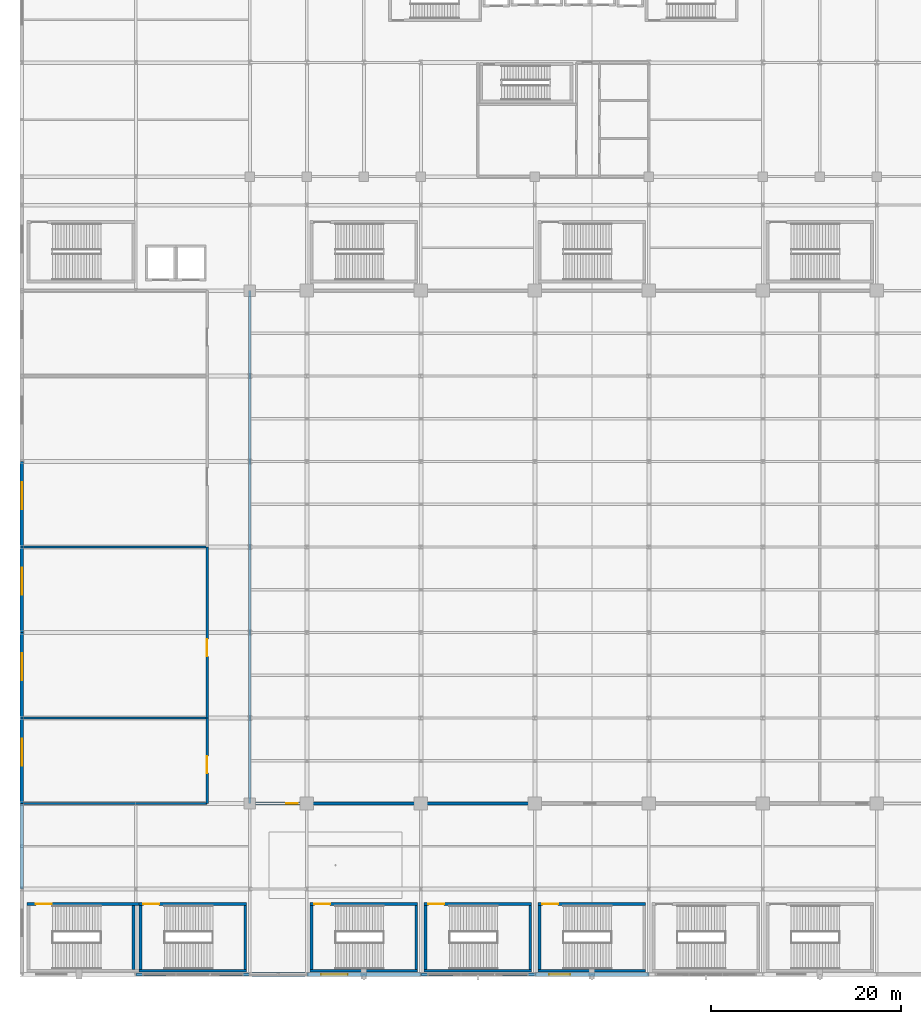
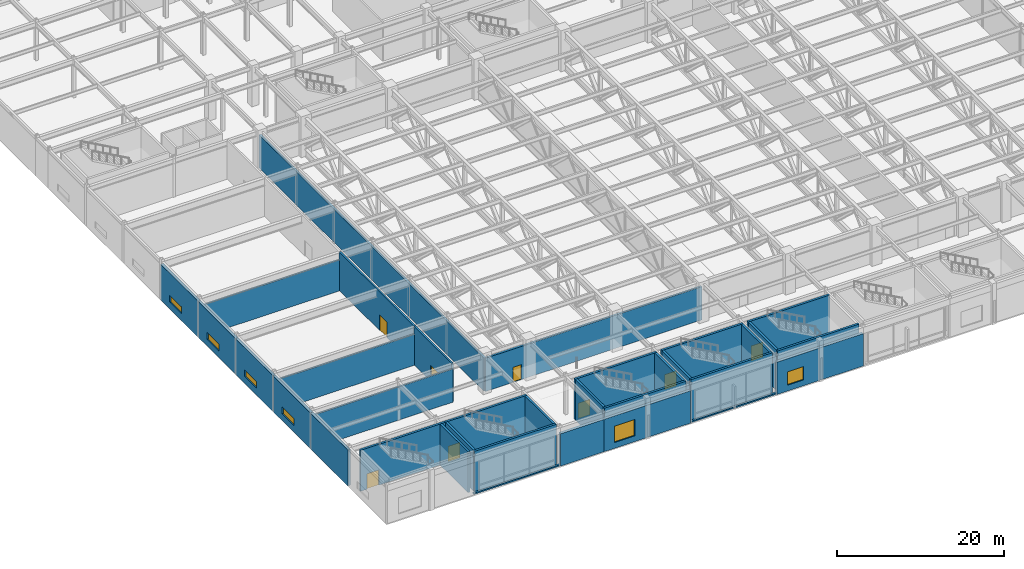
# One storey, part 88 of 108: 34 walls, 8 doors, 6 windows, 14 openings.
"""IFC4 building model written with IfcOpenShell, lengths in metres."""

from ifc_helpers import new_model, si_unit, direction, frame, frame_2d, origin, place, context, subcontext, project, spatial, rectangle, extrude, material, layer, layer_set, type_object, element, fill, save


model = new_model("IFC4")

# Units and contexts
model_context = context("Model", 3, precision=1e-05, world=origin(), true_north=direction((0.0, 1.0)))
body_context = subcontext(model_context, "Body", "Model", "MODEL_VIEW")
ifc_project = project(units=[si_unit("LENGTHUNIT", "METRE"), si_unit("AREAUNIT", "SQUARE_METRE"), si_unit("VOLUMEUNIT", "CUBIC_METRE"), si_unit("PLANEANGLEUNIT", "RADIAN"), si_unit("MASSUNIT", "GRAM", prefix="KILO")], contexts=[model_context])

# Site, building, storey
site_placement = place(None, origin())
site = spatial("IfcSite", under=ifc_project, at=site_placement, CompositionType="ELEMENT")
building_placement = place(site_placement, origin())
building = spatial("IfcBuilding", under=site, at=building_placement, Name="Kaldorvane Square Convention Centre", CompositionType="ELEMENT")
storey_placement = place(building_placement, frame((0.0, 0.0, 12.0)))
storey = spatial("IfcBuildingStorey", under=building, at=storey_placement, Name="L02", CompositionType="ELEMENT", Elevation=12.0)

# Wall
ifc_material_1 = material(Name="Reinforced Concrete Masonry Acoustic Partition", Category="masonry")
ifc_layer_1 = layer(ifc_material_1, 0.2400054931640625)
ifc_layer_set_1 = layer_set([ifc_layer_1], Name="Reinforced Concrete Masonry Acoustic Partition")
wall_type_1 = type_object("IfcWallType", Name="WL-ACO-240", PredefinedType="PARTITIONING", material=ifc_layer_set_1)
wall_1_placement = place(storey_placement, frame((0.19000244140625, 18.0, 0.0), z_axis=(0.0, 0.0, 1.0), x_axis=(1.0, 0.0, 0.0)))
element("IfcWall", 1, at=wall_1_placement, inside=storey, type_object=wall_type_1, Name="Meeting Room 201 S Wall", PredefinedType="PARTITIONING", context=body_context, shape_type="SweptSolid", body=[
    extrude(rectangle(XDim=19.30999755859375, YDim=0.2400054931640625, at=frame_2d((9.654998779296875, 0.0))), origin(), (0.0, 0.0, 1.0), 4.8719940185546875),
])

# Wall, opening, door
wall_2_placement = place(storey_placement, frame((19.5, 18.0, 0.0), z_axis=(0.0, 0.0, 1.0), x_axis=(0.0, 1.0, 0.0)))
wall_2 = element("IfcWall", 2, at=wall_2_placement, inside=storey, type_object=wall_type_1, Name="Meeting Room 201 E Wall", PredefinedType="PARTITIONING", context=body_context, shape_type="SweptSolid", body=[
    extrude(rectangle(XDim=9.0, YDim=0.2400054931640625, at=frame_2d((4.5, 0.0))), origin(), (0.0, 0.0, 1.0), 5.649993896484375),
])
opening_1_placement = place(wall_2_placement, frame((3.1999969482421875, 0.0, 0.0)))
opening_1 = element("IfcOpeningElement", 3, at=opening_1_placement, cuts=wall_2, Name="Opening ID-06", PredefinedType="OPENING", context=body_context, shape_type="SweptSolid", body=[
    extrude(rectangle(XDim=1.8000030517578125, YDim=2.3000030517578125, at=frame_2d((0.899993896484375, 1.149993896484375))), frame((0.0, 0.135009765625, 0.0), z_axis=(0.0, -1.0, 0.0), x_axis=(1.0, 0.0, 0.0)), (0.0, 0.0, 1.0), 0.2700042724609375),
])
ifc_material_2 = material(Name="Architectural Solid-Core White Oak")
door_type_1 = type_object("IfcDoorType", Name="DR-MEET-1800X2300", OperationType="DOUBLE_DOOR_SINGLE_SWING", PredefinedType="DOOR", material=ifc_material_2)
door_1_placement = place(opening_1_placement, origin())
door_1 = element("IfcDoor", 4, at=door_1_placement, inside=storey, type_object=door_type_1, Name="Meeting Room 201 Door 1", OperationType="DOUBLE_DOOR_SINGLE_SWING", OverallHeight=2.3000030517578125, OverallWidth=1.8000030517578125, PredefinedType="DOOR", context=body_context, shape_type="SweptSolid", body=[
    extrude(rectangle(XDim=1.8000030517578125, YDim=2.3000030517578125, at=frame_2d((0.899993896484375, 1.149993896484375))), frame((0.0, 0.024993896484375, 0.0), z_axis=(0.0, -1.0, 0.0), x_axis=(1.0, 0.0, 0.0)), (0.0, 0.0, 1.0), 0.0500030517578125),
])
fill(opening_1, door_1)

# Wall
wall_3_placement = place(storey_placement, frame((19.5, 27.0, 0.0), z_axis=(0.0, 0.0, 1.0), x_axis=(-1.0, 0.0, 0.0)))
element("IfcWall", 5, at=wall_3_placement, inside=storey, type_object=wall_type_1, Name="Meeting Room 201 N Wall", PredefinedType="PARTITIONING", context=body_context, shape_type="SweptSolid", body=[
    extrude(rectangle(XDim=19.30999755859375, YDim=0.2400054931640625, at=frame_2d((9.654998779296875, 0.0))), origin(), (0.0, 0.0, 1.0), 4.5279998779296875),
])

# Wall, opening, door
wall_4_placement = place(storey_placement, frame((19.5, 27.0, 0.0), z_axis=(0.0, 0.0, 1.0), x_axis=(0.0, 1.0, 0.0)))
wall_4 = element("IfcWall", 6, at=wall_4_placement, inside=storey, type_object=wall_type_1, Name="Meeting Room 202 E Wall", PredefinedType="PARTITIONING", context=body_context, shape_type="SweptSolid", body=[
    extrude(rectangle(XDim=18.0, YDim=0.2400054931640625, at=frame_2d((9.0, 0.0))), origin(), (0.0, 0.0, 1.0), 5.649993896484375),
])
opening_2_placement = place(wall_4_placement, frame((6.5, 0.0, 0.0)))
opening_2 = element("IfcOpeningElement", 7, at=opening_2_placement, cuts=wall_4, Name="Opening ID-06", PredefinedType="OPENING", context=body_context, shape_type="SweptSolid", body=[
    extrude(rectangle(XDim=1.8000030517578125, YDim=2.3000030517578125, at=frame_2d((0.899993896484375, 1.149993896484375))), frame((0.0, 0.135009765625, 0.0), z_axis=(0.0, -1.0, 0.0), x_axis=(1.0, 0.0, 0.0)), (0.0, 0.0, 1.0), 0.2700042724609375),
])
door_2_placement = place(opening_2_placement, origin())
door_2 = element("IfcDoor", 8, at=door_2_placement, inside=storey, type_object=door_type_1, Name="Meeting Room 202 Door 1", OperationType="DOUBLE_DOOR_SINGLE_SWING", OverallHeight=2.3000030517578125, OverallWidth=1.8000030517578125, PredefinedType="DOOR", context=body_context, shape_type="SweptSolid", body=[
    extrude(rectangle(XDim=1.8000030517578125, YDim=2.3000030517578125, at=frame_2d((0.899993896484375, 1.149993896484375))), frame((0.0, 0.024993896484375, 0.0), z_axis=(0.0, -1.0, 0.0), x_axis=(1.0, 0.0, 0.0)), (0.0, 0.0, 1.0), 0.0500030517578125),
])
fill(opening_2, door_2)

# Wall
wall_5_placement = place(storey_placement, frame((19.5, 45.0, 0.0), z_axis=(0.0, 0.0, 1.0), x_axis=(-1.0, 0.0, 0.0)))
element("IfcWall", 9, at=wall_5_placement, inside=storey, type_object=wall_type_1, Name="Meeting Room 202 N Wall", PredefinedType="PARTITIONING", context=body_context, shape_type="SweptSolid", body=[
    extrude(rectangle(XDim=19.30999755859375, YDim=0.2400054931640625, at=frame_2d((9.654998779296875, 0.0))), origin(), (0.0, 0.0, 1.0), 4.5279998779296875),
])

# Wall, opening, door
ifc_layer_2 = layer(ifc_material_1, 0.279998779296875)
ifc_layer_set_2 = layer_set([ifc_layer_2], Name="Reinforced Concrete Masonry Acoustic Partition")
wall_type_2 = type_object("IfcWallType", Name="WL-ACO-280", PredefinedType="PARTITIONING", material=ifc_layer_set_2)
wall_6_placement = place(storey_placement, frame((24.0, 18.0, 0.0), z_axis=(0.0, 0.0, 1.0), x_axis=(1.0, 0.0, 0.0)))
wall_6 = element("IfcWall", 10, at=wall_6_placement, inside=storey, type_object=wall_type_2, Name="West Transfer Truss Interstitial Mechanical Plenum S Wall", PredefinedType="PARTITIONING", context=body_context, shape_type="SweptSolid", body=[
    extrude(rectangle(XDim=30.0, YDim=0.279998779296875, at=frame_2d((15.0, 0.0))), origin(), (0.0, 0.0, 1.0), 4.8719940185546875),
])
opening_3_placement = place(wall_6_placement, frame((3.8300018310546875, 0.0, 0.0)))
opening_3 = element("IfcOpeningElement", 11, at=opening_3_placement, cuts=wall_6, Name="Opening ID-14", PredefinedType="OPENING", context=body_context, shape_type="SweptSolid", body=[
    extrude(rectangle(XDim=1.1999969482421875, YDim=2.1999969482421875, at=frame_2d((0.600006103515625, 1.100006103515625))), frame((0.0, 0.154998779296875, 0.0), z_axis=(0.0, -1.0, 0.0), x_axis=(1.0, 0.0, 0.0)), (0.0, 0.0, 1.0), 0.30999755859375),
])
ifc_material_3 = material(Name="Insulated Hollow Metal Steel", Category="steel")
door_type_2 = type_object("IfcDoorType", Name="DR-PLANT-1200X2200", OperationType="SINGLE_SWING_LEFT", PredefinedType="DOOR", material=ifc_material_3)
door_3_placement = place(opening_3_placement, origin())
door_3 = element("IfcDoor", 12, at=door_3_placement, inside=storey, type_object=door_type_2, Name="West Transfer Truss Interstitial Mechanical Plenum Door 1", OperationType="SINGLE_SWING_LEFT", OverallHeight=2.1999969482421875, OverallWidth=1.1999969482421875, PredefinedType="DOOR", context=body_context, shape_type="SweptSolid", body=[
    extrude(rectangle(XDim=1.1999969482421875, YDim=2.1999969482421875, at=frame_2d((0.600006103515625, 1.100006103515625))), frame((0.0, 0.024993896484375, 0.0), z_axis=(0.0, -1.0, 0.0), x_axis=(1.0, 0.0, 0.0)), (0.0, 0.0, 1.0), 0.0500030517578125),
])
fill(opening_3, door_3)

# Walls
wall_7_placement = place(storey_placement, frame((24.0, 72.0, 0.0), z_axis=(0.0, 0.0, 1.0), x_axis=(0.0, -1.0, 0.0)))
element("IfcWall", 13, at=wall_7_placement, inside=storey, type_object=wall_type_2, Name="West Transfer Truss Interstitial Mechanical Plenum W Wall", PredefinedType="PARTITIONING", context=body_context, shape_type="SweptSolid", body=[
    extrude(rectangle(XDim=54.0, YDim=0.279998779296875, at=frame_2d((27.0, 0.0))), origin(), (0.0, 0.0, 1.0), 4.88299560546875),
])
ifc_material_4 = material(Name="Concrete f'c = 42 MPa (Normalweight)", Category="concrete")
ifc_layer_3 = layer(ifc_material_4, 0.3800048828125)
ifc_layer_set_3 = layer_set([ifc_layer_3], Name="Concrete f'c = 42 MPa (Normalweight)")
wall_type_3 = type_object("IfcWallType", Name="WL-EXT-380", PredefinedType="STANDARD", material=ifc_layer_set_3)
wall_8_placement = place(storey_placement, frame((24.0, 0.0, 0.0), z_axis=(0.0, 0.0, 1.0), x_axis=(1.0, 0.0, 0.0)))
element("IfcWall", 14, at=wall_8_placement, inside=storey, type_object=wall_type_3, Name="South Square Brutalist Facade Wall (L02)", PredefinedType="STANDARD", context=body_context, shape_type="SweptSolid", body=[
    extrude(rectangle(XDim=6.0, YDim=0.3800048828125, at=frame_2d((3.0, 0.0))), origin(), (0.0, 0.0, 1.0), 4.746002197265625),
])

# Wall, opening, window
wall_9_placement = place(storey_placement, frame((30.0, 0.0, 0.0), z_axis=(0.0, 0.0, 1.0), x_axis=(1.0, 0.0, 0.0)))
wall_9 = element("IfcWall", 15, at=wall_9_placement, inside=storey, type_object=wall_type_3, Name="South Square Brutalist Facade Wall (L02)", PredefinedType="STANDARD", context=body_context, shape_type="SweptSolid", body=[
    extrude(rectangle(XDim=12.0, YDim=0.3800048828125, at=frame_2d((6.0, 0.0))), origin(), (0.0, 0.0, 1.0), 4.746002197265625),
])
opening_4_placement = place(wall_9_placement, frame((1.5, 0.0, 0.850006103515625)))
opening_4 = element("IfcOpeningElement", 16, at=opening_4_placement, cuts=wall_9, Name="Opening W-17", PredefinedType="OPENING", context=body_context, shape_type="SweptSolid", body=[
    extrude(rectangle(XDim=2.8000030517578125, YDim=2.399993896484375, at=frame_2d((1.399993896484375, 1.1999969482421875))), frame((0.0, 0.2050018310546875, 0.0), z_axis=(0.0, -1.0, 0.0), x_axis=(1.0, 0.0, 0.0)), (0.0, 0.0, 1.0), 0.410003662109375),
])
ifc_material_5 = material(Name="Anodized Aluminum and Low-E Insulated Glazing", Category="aluminium")
window_type_1 = type_object("IfcWindowType", Name="WN-POD-2800X2400", PartitioningType="DOUBLE_PANEL_VERTICAL", PredefinedType="WINDOW", material=ifc_material_5)
window_1_placement = place(opening_4_placement, origin())
window_1 = element("IfcWindow", 17, at=window_1_placement, inside=storey, type_object=window_type_1, Name="South Facade Window (L02)", OverallHeight=2.399993896484375, OverallWidth=2.8000030517578125, PartitioningType="DOUBLE_PANEL_VERTICAL", PredefinedType="WINDOW", context=body_context, shape_type="SweptSolid", body=[
    extrude(rectangle(XDim=2.8000030517578125, YDim=2.399993896484375, at=frame_2d((1.399993896484375, 1.1999969482421875))), frame((0.0, 0.029998779296875, 0.0), z_axis=(0.0, -1.0, 0.0), x_axis=(1.0, 0.0, 0.0)), (0.0, 0.0, 1.0), 0.05999755859375),
])
fill(opening_4, window_1)

wall_10_placement = place(storey_placement, frame((54.0, 0.0, 0.0), z_axis=(0.0, 0.0, 1.0), x_axis=(1.0, 0.0, 0.0)))
wall_10 = element("IfcWall", 18, at=wall_10_placement, inside=storey, type_object=wall_type_3, Name="South Square Brutalist Facade Wall (L02)", PredefinedType="STANDARD", context=body_context, shape_type="SweptSolid", body=[
    extrude(rectangle(XDim=12.0, YDim=0.3800048828125, at=frame_2d((6.0, 0.0))), origin(), (0.0, 0.0, 1.0), 4.746002197265625),
])
opening_5_placement = place(wall_10_placement, frame((1.5, 0.0, 0.850006103515625)))
opening_5 = element("IfcOpeningElement", 19, at=opening_5_placement, cuts=wall_10, Name="Opening W-20", PredefinedType="OPENING", context=body_context, shape_type="SweptSolid", body=[
    extrude(rectangle(XDim=2.1999969482421875, YDim=1.9499969482421875, at=frame_2d((1.100006103515625, 0.975006103515625))), frame((0.0, 0.2050018310546875, 0.0), z_axis=(0.0, -1.0, 0.0), x_axis=(1.0, 0.0, 0.0)), (0.0, 0.0, 1.0), 0.410003662109375),
])
window_type_2 = type_object("IfcWindowType", Name="WN-POD-2200X1950", PartitioningType="DOUBLE_PANEL_VERTICAL", PredefinedType="WINDOW", material=ifc_material_5)
window_2_placement = place(opening_5_placement, origin())
window_2 = element("IfcWindow", 20, at=window_2_placement, inside=storey, type_object=window_type_2, Name="South Facade Window (L02)", OverallHeight=1.9499969482421875, OverallWidth=2.1999969482421875, PartitioningType="DOUBLE_PANEL_VERTICAL", PredefinedType="WINDOW", context=body_context, shape_type="SweptSolid", body=[
    extrude(rectangle(XDim=2.1999969482421875, YDim=1.9499969482421875, at=frame_2d((1.100006103515625, 0.975006103515625))), frame((0.0, 0.029998779296875, 0.0), z_axis=(0.0, -1.0, 0.0), x_axis=(1.0, 0.0, 0.0)), (0.0, 0.0, 1.0), 0.05999755859375),
])
fill(opening_5, window_2)

# Wall
wall_11_placement = place(storey_placement, frame((0.0, 18.0, 0.0), z_axis=(0.0, 0.0, 1.0), x_axis=(0.0, -1.0, 0.0)))
element("IfcWall", 21, at=wall_11_placement, inside=storey, type_object=wall_type_3, Name="West Brutalist Facade Wall (L02)", PredefinedType="STANDARD", context=body_context, shape_type="SweptSolid", body=[
    extrude(rectangle(XDim=9.0, YDim=0.3800048828125, at=frame_2d((4.5, 0.0))), origin(), (0.0, 0.0, 1.0), 5.2389984130859375),
])

# Wall, opening, window
wall_12_placement = place(storey_placement, frame((0.0, 27.0, 0.0), z_axis=(0.0, 0.0, 1.0), x_axis=(0.0, -1.0, 0.0)))
wall_12 = element("IfcWall", 22, at=wall_12_placement, inside=storey, type_object=wall_type_3, Name="West Brutalist Facade Wall (L02)", PredefinedType="STANDARD", context=body_context, shape_type="SweptSolid", body=[
    extrude(rectangle(XDim=9.0, YDim=0.3800048828125, at=frame_2d((4.5, 0.0))), origin(), (0.0, 0.0, 1.0), 5.2389984130859375),
])
opening_6_placement = place(wall_12_placement, frame((2.1999969482421875, 0.0, 1.0)))
opening_6 = element("IfcOpeningElement", 23, at=opening_6_placement, cuts=wall_12, Name="Opening W-26", PredefinedType="OPENING", context=body_context, shape_type="SweptSolid", body=[
    extrude(rectangle(XDim=2.8000030517578125, YDim=1.0, at=frame_2d((1.399993896484375, 0.5))), frame((0.0, 0.2050018310546875, 0.0), z_axis=(0.0, -1.0, 0.0), x_axis=(1.0, 0.0, 0.0)), (0.0, 0.0, 1.0), 0.410003662109375),
])
window_type_3 = type_object("IfcWindowType", Name="WN-CLR-2800X1000", PartitioningType="DOUBLE_PANEL_HORIZONTAL", PredefinedType="WINDOW", material=ifc_material_5)
window_3_placement = place(opening_6_placement, origin())
window_3 = element("IfcWindow", 24, at=window_3_placement, inside=storey, type_object=window_type_3, Name="West Facade Window (L02)", OverallHeight=1.0, OverallWidth=2.8000030517578125, PartitioningType="DOUBLE_PANEL_HORIZONTAL", PredefinedType="WINDOW", context=body_context, shape_type="SweptSolid", body=[
    extrude(rectangle(XDim=2.8000030517578125, YDim=1.0, at=frame_2d((1.399993896484375, 0.5))), frame((0.0, 0.029998779296875, 0.0), z_axis=(0.0, -1.0, 0.0), x_axis=(1.0, 0.0, 0.0)), (0.0, 0.0, 1.0), 0.05999755859375),
])
fill(opening_6, window_3)

wall_13_placement = place(storey_placement, frame((0.0, 36.0, 0.0), z_axis=(0.0, 0.0, 1.0), x_axis=(0.0, -1.0, 0.0)))
wall_13 = element("IfcWall", 25, at=wall_13_placement, inside=storey, type_object=wall_type_3, Name="West Brutalist Facade Wall (L02)", PredefinedType="STANDARD", context=body_context, shape_type="SweptSolid", body=[
    extrude(rectangle(XDim=9.0, YDim=0.3800048828125, at=frame_2d((4.5, 0.0))), origin(), (0.0, 0.0, 1.0), 5.2389984130859375),
])
opening_7_placement = place(wall_13_placement, frame((2.1999969482421875, 0.0, 1.0)))
opening_7 = element("IfcOpeningElement", 26, at=opening_7_placement, cuts=wall_13, Name="Opening W-26", PredefinedType="OPENING", context=body_context, shape_type="SweptSolid", body=[
    extrude(rectangle(XDim=2.8000030517578125, YDim=1.0, at=frame_2d((1.399993896484375, 0.5))), frame((0.0, 0.2050018310546875, 0.0), z_axis=(0.0, -1.0, 0.0), x_axis=(1.0, 0.0, 0.0)), (0.0, 0.0, 1.0), 0.410003662109375),
])
window_4_placement = place(opening_7_placement, origin())
window_4 = element("IfcWindow", 27, at=window_4_placement, inside=storey, type_object=window_type_3, Name="West Facade Window (L02)", OverallHeight=1.0, OverallWidth=2.8000030517578125, PartitioningType="DOUBLE_PANEL_HORIZONTAL", PredefinedType="WINDOW", context=body_context, shape_type="SweptSolid", body=[
    extrude(rectangle(XDim=2.8000030517578125, YDim=1.0, at=frame_2d((1.399993896484375, 0.5))), frame((0.0, 0.029998779296875, 0.0), z_axis=(0.0, -1.0, 0.0), x_axis=(1.0, 0.0, 0.0)), (0.0, 0.0, 1.0), 0.05999755859375),
])
fill(opening_7, window_4)

wall_14_placement = place(storey_placement, frame((0.0, 45.0, 0.0), z_axis=(0.0, 0.0, 1.0), x_axis=(0.0, -1.0, 0.0)))
wall_14 = element("IfcWall", 28, at=wall_14_placement, inside=storey, type_object=wall_type_3, Name="West Brutalist Facade Wall (L02)", PredefinedType="STANDARD", context=body_context, shape_type="SweptSolid", body=[
    extrude(rectangle(XDim=9.0, YDim=0.3800048828125, at=frame_2d((4.5, 0.0))), origin(), (0.0, 0.0, 1.0), 5.2389984130859375),
])
opening_8_placement = place(wall_14_placement, frame((2.1999969482421875, 0.0, 1.0)))
opening_8 = element("IfcOpeningElement", 29, at=opening_8_placement, cuts=wall_14, Name="Opening W-26", PredefinedType="OPENING", context=body_context, shape_type="SweptSolid", body=[
    extrude(rectangle(XDim=2.8000030517578125, YDim=1.0, at=frame_2d((1.399993896484375, 0.5))), frame((0.0, 0.2050018310546875, 0.0), z_axis=(0.0, -1.0, 0.0), x_axis=(1.0, 0.0, 0.0)), (0.0, 0.0, 1.0), 0.410003662109375),
])
window_5_placement = place(opening_8_placement, origin())
window_5 = element("IfcWindow", 30, at=window_5_placement, inside=storey, type_object=window_type_3, Name="West Facade Window (L02)", OverallHeight=1.0, OverallWidth=2.8000030517578125, PartitioningType="DOUBLE_PANEL_HORIZONTAL", PredefinedType="WINDOW", context=body_context, shape_type="SweptSolid", body=[
    extrude(rectangle(XDim=2.8000030517578125, YDim=1.0, at=frame_2d((1.399993896484375, 0.5))), frame((0.0, 0.029998779296875, 0.0), z_axis=(0.0, -1.0, 0.0), x_axis=(1.0, 0.0, 0.0)), (0.0, 0.0, 1.0), 0.05999755859375),
])
fill(opening_8, window_5)

wall_15_placement = place(storey_placement, frame((0.0, 54.0, 0.0), z_axis=(0.0, 0.0, 1.0), x_axis=(0.0, -1.0, 0.0)))
wall_15 = element("IfcWall", 31, at=wall_15_placement, inside=storey, type_object=wall_type_3, Name="West Brutalist Facade Wall (L02)", PredefinedType="STANDARD", context=body_context, shape_type="SweptSolid", body=[
    extrude(rectangle(XDim=9.0, YDim=0.3800048828125, at=frame_2d((4.5, 0.0))), origin(), (0.0, 0.0, 1.0), 5.2389984130859375),
])
opening_9_placement = place(wall_15_placement, frame((2.1999969482421875, 0.0, 1.0)))
opening_9 = element("IfcOpeningElement", 32, at=opening_9_placement, cuts=wall_15, Name="Opening W-26", PredefinedType="OPENING", context=body_context, shape_type="SweptSolid", body=[
    extrude(rectangle(XDim=2.8000030517578125, YDim=1.0, at=frame_2d((1.399993896484375, 0.5))), frame((0.0, 0.2050018310546875, 0.0), z_axis=(0.0, -1.0, 0.0), x_axis=(1.0, 0.0, 0.0)), (0.0, 0.0, 1.0), 0.410003662109375),
])
window_6_placement = place(opening_9_placement, origin())
window_6 = element("IfcWindow", 33, at=window_6_placement, inside=storey, type_object=window_type_3, Name="West Facade Window (L02)", OverallHeight=1.0, OverallWidth=2.8000030517578125, PartitioningType="DOUBLE_PANEL_HORIZONTAL", PredefinedType="WINDOW", context=body_context, shape_type="SweptSolid", body=[
    extrude(rectangle(XDim=2.8000030517578125, YDim=1.0, at=frame_2d((1.399993896484375, 0.5))), frame((0.0, 0.029998779296875, 0.0), z_axis=(0.0, -1.0, 0.0), x_axis=(1.0, 0.0, 0.0)), (0.0, 0.0, 1.0), 0.05999755859375),
])
fill(opening_9, window_6)

# Walls
ifc_material_6 = material(Name="Concrete f'c = 35 MPa (Normalweight)", Category="concrete")
ifc_layer_4 = layer(ifc_material_6, 0.279998779296875)
ifc_layer_set_4 = layer_set([ifc_layer_4], Name="Concrete f'c = 35 MPa (Normalweight)")
wall_type_4 = type_object("IfcWallType", Name="WL-PAR-280", PredefinedType="PARAPET", material=ifc_layer_set_4)
for number, where, z_axis, x_axis, name in (
    (34, (12.0, 0.0, 0.0), (0.0, 0.0, 1.0), (1.0, 0.0, 0.0), "Curtain-Wall Sill Kerb (L02)"),
    (35, (42.0, 0.0, 0.0), (0.0, 0.0, 1.0), (1.0, 0.0, 0.0), "Curtain-Wall Sill Kerb (L02)"),
):
    element("IfcWall", number, at=place(storey_placement, frame(where, z_axis=z_axis, x_axis=x_axis)), inside=storey, type_object=wall_type_4, Name=name, PredefinedType="PARAPET", context=body_context, shape_type="SweptSolid", body=[
        extrude(rectangle(XDim=12.0, YDim=0.279998779296875, at=frame_2d((6.0, 0.0))), origin(), (0.0, 0.0, 1.0), 0.1999969482421875),
    ])

# Wall, opening, door
ifc_material_7 = material(Name="Concrete f'c = 55 MPa (Normalweight)", Category="concrete")
ifc_layer_5 = layer(ifc_material_7, 0.3000030517578125)
ifc_layer_set_5 = layer_set([ifc_layer_5], Name="Concrete f'c = 55 MPa (Normalweight)")
wall_type_5 = type_object("IfcWallType", Name="WL-SHAFT-300", PredefinedType="SHEAR", material=ifc_layer_set_5)
wall_16_placement = place(storey_placement, frame((12.339996337890625, 7.410003662109375, 0.0), z_axis=(0.0, 0.0, 1.0), x_axis=(-1.0, 0.0, 0.0)))
wall_16 = element("IfcWall", 36, at=wall_16_placement, inside=storey, type_object=wall_type_5, Name="Core Enclosure Wall stair:ST-C1-N (L02)", PredefinedType="SHEAR", context=body_context, shape_type="SweptSolid", body=[
    extrude(rectangle(XDim=11.779998779296875, YDim=0.3000030517578125, at=frame_2d((5.8899993896484375, 0.0))), origin(), (0.0, 0.0, 1.0), 6.0),
])
opening_10_placement = place(wall_16_placement, frame((9.220001220703125, 0.0, 0.0)))
opening_10 = element("IfcOpeningElement", 37, at=opening_10_placement, cuts=wall_16, Name="Opening FD90-S2", PredefinedType="OPENING", context=body_context, shape_type="SweptSolid", body=[
    extrude(rectangle(XDim=1.649993896484375, YDim=2.25, at=frame_2d((0.8249969482421875, 1.125))), frame((0.0, 0.165008544921875, 0.0), z_axis=(0.0, -1.0, 0.0), x_axis=(1.0, 0.0, 0.0)), (0.0, 0.0, 1.0), 0.3300018310546875),
])
ifc_material_8 = material(Name="Fire-Rated Hollow Metal Steel", Category="steel")
door_type_3 = type_object("IfcDoorType", Name="DR-STAIR-1650", OperationType="DOUBLE_DOOR_SINGLE_SWING", PredefinedType="DOOR", material=ifc_material_8)
door_4_placement = place(opening_10_placement, origin())
door_4 = element("IfcDoor", 38, at=door_4_placement, inside=storey, type_object=door_type_3, Name="Convention Exit Stair C1 Fire Door (L02)", OperationType="DOUBLE_DOOR_SINGLE_SWING", OverallHeight=2.25, OverallWidth=1.649993896484375, PredefinedType="DOOR", context=body_context, shape_type="SweptSolid", body=[
    extrude(rectangle(XDim=1.649993896484375, YDim=2.25, at=frame_2d((0.8249969482421875, 1.125))), frame((0.0, 0.024993896484375, 0.0), z_axis=(0.0, -1.0, 0.0), x_axis=(1.0, 0.0, 0.0)), (0.0, 0.0, 1.0), 0.0500030517578125),
])
fill(opening_10, door_4)

# Walls
wall_17_placement = place(storey_placement, frame((11.729995727539062, 0.5500030517578125, 0.0), z_axis=(0.0, 0.0, 1.0), x_axis=(0.0, 1.0, 0.0)))
element("IfcWall", 39, at=wall_17_placement, inside=storey, type_object=wall_type_5, Name="Core Enclosure Wall stair:ST-C1-E (L02)", PredefinedType="SHEAR", context=body_context, shape_type="SweptSolid", body=[
    extrude(rectangle(XDim=6.709991455078125, YDim=0.3000030517578125, at=frame_2d((3.3549957275390625, 0.0))), origin(), (0.0, 0.0, 1.0), 6.0),
])
wall_18_placement = place(storey_placement, frame((23.660003662109375, 0.399993896484375, 0.0), z_axis=(0.0, 0.0, 1.0), x_axis=(-1.0, 0.0, 0.0)))
element("IfcWall", 40, at=wall_18_placement, inside=storey, type_object=wall_type_5, Name="Core Enclosure Wall stair:ST-C2-S (L02)", PredefinedType="SHEAR", context=body_context, shape_type="SweptSolid", body=[
    extrude(rectangle(XDim=11.32000732421875, YDim=0.3000030517578125, at=frame_2d((5.660003662109375, 0.0))), origin(), (0.0, 0.0, 1.0), 6.0),
])

# Wall, opening, door
wall_19_placement = place(storey_placement, frame((23.660003662109375, 7.410003662109375, 0.0), z_axis=(0.0, 0.0, 1.0), x_axis=(-1.0, 0.0, 0.0)))
wall_19 = element("IfcWall", 41, at=wall_19_placement, inside=storey, type_object=wall_type_5, Name="Core Enclosure Wall stair:ST-C2-N (L02)", PredefinedType="SHEAR", context=body_context, shape_type="SweptSolid", body=[
    extrude(rectangle(XDim=11.32000732421875, YDim=0.3000030517578125, at=frame_2d((5.660003662109375, 0.0))), origin(), (0.0, 0.0, 1.0), 6.0),
])
opening_11_placement = place(wall_19_placement, frame((9.220001220703125, 0.0, 0.0)))
opening_11 = element("IfcOpeningElement", 42, at=opening_11_placement, cuts=wall_19, Name="Opening FD90-S2", PredefinedType="OPENING", context=body_context, shape_type="SweptSolid", body=[
    extrude(rectangle(XDim=1.649993896484375, YDim=2.25, at=frame_2d((0.8249969482421875, 1.125))), frame((0.0, 0.165008544921875, 0.0), z_axis=(0.0, -1.0, 0.0), x_axis=(1.0, 0.0, 0.0)), (0.0, 0.0, 1.0), 0.3300018310546875),
])
door_5_placement = place(opening_11_placement, origin())
door_5 = element("IfcDoor", 43, at=door_5_placement, inside=storey, type_object=door_type_3, Name="Convention Exit Stair C2 Fire Door (L02)", OperationType="DOUBLE_DOOR_SINGLE_SWING", OverallHeight=2.25, OverallWidth=1.649993896484375, PredefinedType="DOOR", context=body_context, shape_type="SweptSolid", body=[
    extrude(rectangle(XDim=1.649993896484375, YDim=2.25, at=frame_2d((0.8249969482421875, 1.125))), frame((0.0, 0.024993896484375, 0.0), z_axis=(0.0, -1.0, 0.0), x_axis=(1.0, 0.0, 0.0)), (0.0, 0.0, 1.0), 0.0500030517578125),
])
fill(opening_11, door_5)

# Walls
for number, where, z_axis, x_axis, name in (
    (44, (12.490005493164062, 7.2599945068359375, 0.0), (0.0, 0.0, 1.0), (0.0, -1.0, 0.0), "Core Enclosure Wall stair:ST-C2-W (L02)"),
    (45, (23.509994506835938, 0.5500030517578125, 0.0), (0.0, 0.0, 1.0), (0.0, 1.0, 0.0), "Core Enclosure Wall stair:ST-C2-E (L02)"),
):
    element("IfcWall", number, at=place(storey_placement, frame(where, z_axis=z_axis, x_axis=x_axis)), inside=storey, type_object=wall_type_5, Name=name, PredefinedType="SHEAR", context=body_context, shape_type="SweptSolid", body=[
        extrude(rectangle(XDim=6.709991455078125, YDim=0.3000030517578125, at=frame_2d((3.3549957275390625, 0.0))), origin(), (0.0, 0.0, 1.0), 6.0),
    ])
wall_20_placement = place(storey_placement, frame((41.660003662109375, 0.399993896484375, 0.0), z_axis=(0.0, 0.0, 1.0), x_axis=(-1.0, 0.0, 0.0)))
element("IfcWall", 46, at=wall_20_placement, inside=storey, type_object=wall_type_5, Name="Core Enclosure Wall stair:ST-C3-S (L02)", PredefinedType="SHEAR", context=body_context, shape_type="SweptSolid", body=[
    extrude(rectangle(XDim=11.32000732421875, YDim=0.3000030517578125, at=frame_2d((5.660003662109375, 0.0))), origin(), (0.0, 0.0, 1.0), 6.0),
])

# Wall, opening, door
wall_21_placement = place(storey_placement, frame((41.660003662109375, 7.410003662109375, 0.0), z_axis=(0.0, 0.0, 1.0), x_axis=(-1.0, 0.0, 0.0)))
wall_21 = element("IfcWall", 47, at=wall_21_placement, inside=storey, type_object=wall_type_5, Name="Core Enclosure Wall stair:ST-C3-N (L02)", PredefinedType="SHEAR", context=body_context, shape_type="SweptSolid", body=[
    extrude(rectangle(XDim=11.32000732421875, YDim=0.3000030517578125, at=frame_2d((5.660003662109375, 0.0))), origin(), (0.0, 0.0, 1.0), 6.0),
])
opening_12_placement = place(wall_21_placement, frame((9.220001220703125, 0.0, 0.0)))
opening_12 = element("IfcOpeningElement", 48, at=opening_12_placement, cuts=wall_21, Name="Opening FD90-S2", PredefinedType="OPENING", context=body_context, shape_type="SweptSolid", body=[
    extrude(rectangle(XDim=1.649993896484375, YDim=2.25, at=frame_2d((0.8249969482421875, 1.125))), frame((0.0, 0.165008544921875, 0.0), z_axis=(0.0, -1.0, 0.0), x_axis=(1.0, 0.0, 0.0)), (0.0, 0.0, 1.0), 0.3300018310546875),
])
door_6_placement = place(opening_12_placement, origin())
door_6 = element("IfcDoor", 49, at=door_6_placement, inside=storey, type_object=door_type_3, Name="Convention Exit Stair C3 Fire Door (L02)", OperationType="DOUBLE_DOOR_SINGLE_SWING", OverallHeight=2.25, OverallWidth=1.649993896484375, PredefinedType="DOOR", context=body_context, shape_type="SweptSolid", body=[
    extrude(rectangle(XDim=1.649993896484375, YDim=2.25, at=frame_2d((0.8249969482421875, 1.125))), frame((0.0, 0.024993896484375, 0.0), z_axis=(0.0, -1.0, 0.0), x_axis=(1.0, 0.0, 0.0)), (0.0, 0.0, 1.0), 0.0500030517578125),
])
fill(opening_12, door_6)

# Walls
for number, where, z_axis, x_axis, name in (
    (50, (30.490005493164062, 7.2599945068359375, 0.0), (0.0, 0.0, 1.0), (0.0, -1.0, 0.0), "Core Enclosure Wall stair:ST-C3-W (L02)"),
    (51, (41.50999450683594, 0.5500030517578125, 0.0), (0.0, 0.0, 1.0), (0.0, 1.0, 0.0), "Core Enclosure Wall stair:ST-C3-E (L02)"),
):
    element("IfcWall", number, at=place(storey_placement, frame(where, z_axis=z_axis, x_axis=x_axis)), inside=storey, type_object=wall_type_5, Name=name, PredefinedType="SHEAR", context=body_context, shape_type="SweptSolid", body=[
        extrude(rectangle(XDim=6.709991455078125, YDim=0.3000030517578125, at=frame_2d((3.3549957275390625, 0.0))), origin(), (0.0, 0.0, 1.0), 6.0),
    ])
wall_22_placement = place(storey_placement, frame((53.660003662109375, 0.399993896484375, 0.0), z_axis=(0.0, 0.0, 1.0), x_axis=(-1.0, 0.0, 0.0)))
element("IfcWall", 52, at=wall_22_placement, inside=storey, type_object=wall_type_5, Name="Core Enclosure Wall stair:ST-C4-S (L02)", PredefinedType="SHEAR", context=body_context, shape_type="SweptSolid", body=[
    extrude(rectangle(XDim=11.32000732421875, YDim=0.3000030517578125, at=frame_2d((5.660003662109375, 0.0))), origin(), (0.0, 0.0, 1.0), 6.0),
])

# Wall, opening, door
wall_23_placement = place(storey_placement, frame((53.660003662109375, 7.410003662109375, 0.0), z_axis=(0.0, 0.0, 1.0), x_axis=(-1.0, 0.0, 0.0)))
wall_23 = element("IfcWall", 53, at=wall_23_placement, inside=storey, type_object=wall_type_5, Name="Core Enclosure Wall stair:ST-C4-N (L02)", PredefinedType="SHEAR", context=body_context, shape_type="SweptSolid", body=[
    extrude(rectangle(XDim=11.32000732421875, YDim=0.3000030517578125, at=frame_2d((5.660003662109375, 0.0))), origin(), (0.0, 0.0, 1.0), 6.0),
])
opening_13_placement = place(wall_23_placement, frame((9.220001220703125, 0.0, 0.0)))
opening_13 = element("IfcOpeningElement", 54, at=opening_13_placement, cuts=wall_23, Name="Opening FD90-S2", PredefinedType="OPENING", context=body_context, shape_type="SweptSolid", body=[
    extrude(rectangle(XDim=1.649993896484375, YDim=2.25, at=frame_2d((0.8249969482421875, 1.125))), frame((0.0, 0.165008544921875, 0.0), z_axis=(0.0, -1.0, 0.0), x_axis=(1.0, 0.0, 0.0)), (0.0, 0.0, 1.0), 0.3300018310546875),
])
door_7_placement = place(opening_13_placement, origin())
door_7 = element("IfcDoor", 55, at=door_7_placement, inside=storey, type_object=door_type_3, Name="Convention Exit Stair C4 Fire Door (L02)", OperationType="DOUBLE_DOOR_SINGLE_SWING", OverallHeight=2.25, OverallWidth=1.649993896484375, PredefinedType="DOOR", context=body_context, shape_type="SweptSolid", body=[
    extrude(rectangle(XDim=1.649993896484375, YDim=2.25, at=frame_2d((0.8249969482421875, 1.125))), frame((0.0, 0.024993896484375, 0.0), z_axis=(0.0, -1.0, 0.0), x_axis=(1.0, 0.0, 0.0)), (0.0, 0.0, 1.0), 0.0500030517578125),
])
fill(opening_13, door_7)

# Walls
for number, where, z_axis, x_axis, name in (
    (56, (42.49000549316406, 7.2599945068359375, 0.0), (0.0, 0.0, 1.0), (0.0, -1.0, 0.0), "Core Enclosure Wall stair:ST-C4-W (L02)"),
    (57, (53.50999450683594, 0.5500030517578125, 0.0), (0.0, 0.0, 1.0), (0.0, 1.0, 0.0), "Core Enclosure Wall stair:ST-C4-E (L02)"),
):
    element("IfcWall", number, at=place(storey_placement, frame(where, z_axis=z_axis, x_axis=x_axis)), inside=storey, type_object=wall_type_5, Name=name, PredefinedType="SHEAR", context=body_context, shape_type="SweptSolid", body=[
        extrude(rectangle(XDim=6.709991455078125, YDim=0.3000030517578125, at=frame_2d((3.3549957275390625, 0.0))), origin(), (0.0, 0.0, 1.0), 6.0),
    ])
wall_24_placement = place(storey_placement, frame((65.66000366210938, 0.399993896484375, 0.0), z_axis=(0.0, 0.0, 1.0), x_axis=(-1.0, 0.0, 0.0)))
element("IfcWall", 58, at=wall_24_placement, inside=storey, type_object=wall_type_5, Name="Core Enclosure Wall stair:ST-C5-S (L02)", PredefinedType="SHEAR", context=body_context, shape_type="SweptSolid", body=[
    extrude(rectangle(XDim=11.32000732421875, YDim=0.3000030517578125, at=frame_2d((5.660003662109375, 0.0))), origin(), (0.0, 0.0, 1.0), 6.0),
])

# Wall, opening, door
wall_25_placement = place(storey_placement, frame((65.66000366210938, 7.410003662109375, 0.0), z_axis=(0.0, 0.0, 1.0), x_axis=(-1.0, 0.0, 0.0)))
wall_25 = element("IfcWall", 59, at=wall_25_placement, inside=storey, type_object=wall_type_5, Name="Core Enclosure Wall stair:ST-C5-N (L02)", PredefinedType="SHEAR", context=body_context, shape_type="SweptSolid", body=[
    extrude(rectangle(XDim=11.32000732421875, YDim=0.3000030517578125, at=frame_2d((5.660003662109375, 0.0))), origin(), (0.0, 0.0, 1.0), 6.0),
])
opening_14_placement = place(wall_25_placement, frame((9.220001220703125, 0.0, 0.0)))
opening_14 = element("IfcOpeningElement", 60, at=opening_14_placement, cuts=wall_25, Name="Opening FD90-S2", PredefinedType="OPENING", context=body_context, shape_type="SweptSolid", body=[
    extrude(rectangle(XDim=1.649993896484375, YDim=2.25, at=frame_2d((0.8249969482421875, 1.125))), frame((0.0, 0.165008544921875, 0.0), z_axis=(0.0, -1.0, 0.0), x_axis=(1.0, 0.0, 0.0)), (0.0, 0.0, 1.0), 0.3300018310546875),
])
door_8_placement = place(opening_14_placement, origin())
door_8 = element("IfcDoor", 61, at=door_8_placement, inside=storey, type_object=door_type_3, Name="Convention Exit Stair C5 Fire Door (L02)", OperationType="DOUBLE_DOOR_SINGLE_SWING", OverallHeight=2.25, OverallWidth=1.649993896484375, PredefinedType="DOOR", context=body_context, shape_type="SweptSolid", body=[
    extrude(rectangle(XDim=1.649993896484375, YDim=2.25, at=frame_2d((0.8249969482421875, 1.125))), frame((0.0, 0.024993896484375, 0.0), z_axis=(0.0, -1.0, 0.0), x_axis=(1.0, 0.0, 0.0)), (0.0, 0.0, 1.0), 0.0500030517578125),
])
fill(opening_14, door_8)

# Wall
wall_26_placement = place(storey_placement, frame((54.49000549316406, 7.2599945068359375, 0.0), z_axis=(0.0, 0.0, 1.0), x_axis=(0.0, -1.0, 0.0)))
element("IfcWall", 62, at=wall_26_placement, inside=storey, type_object=wall_type_5, Name="Core Enclosure Wall stair:ST-C5-W (L02)", PredefinedType="SHEAR", context=body_context, shape_type="SweptSolid", body=[
    extrude(rectangle(XDim=6.709991455078125, YDim=0.3000030517578125, at=frame_2d((3.3549957275390625, 0.0))), origin(), (0.0, 0.0, 1.0), 6.0),
])

save(model, "model.ifc")
